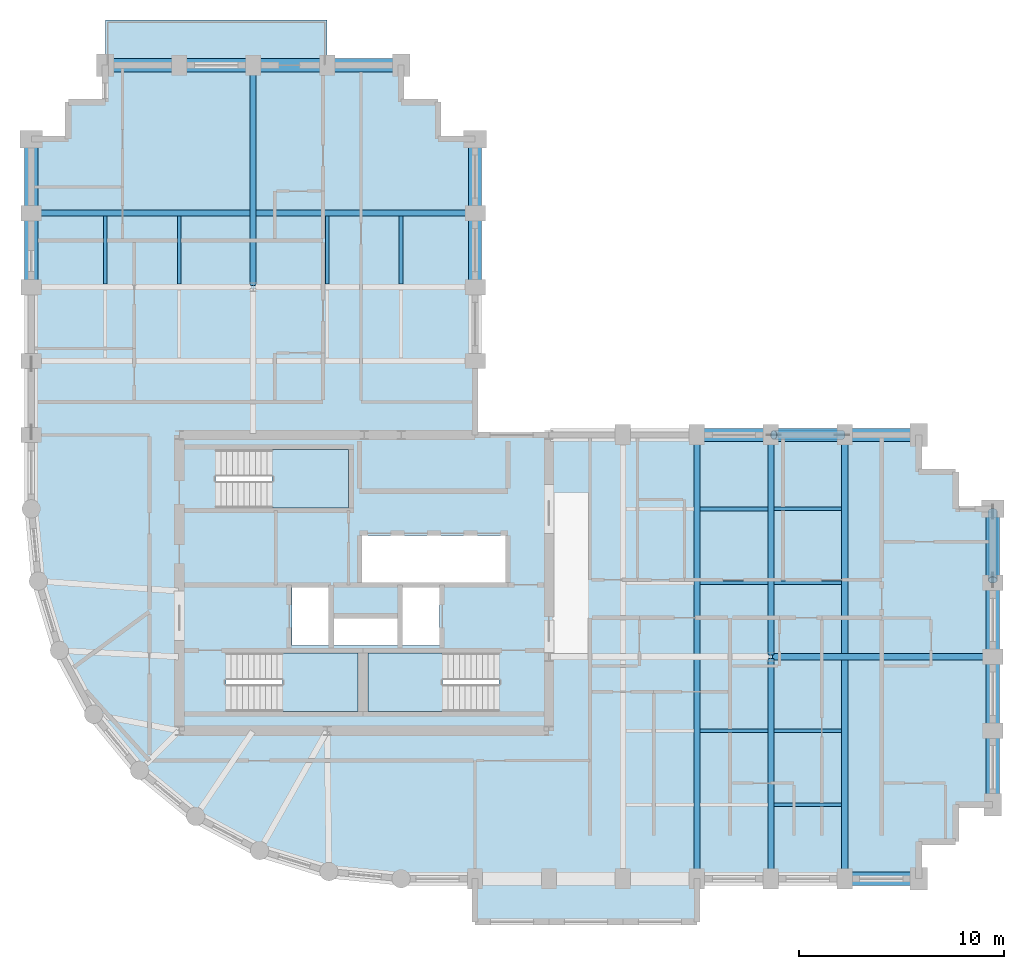
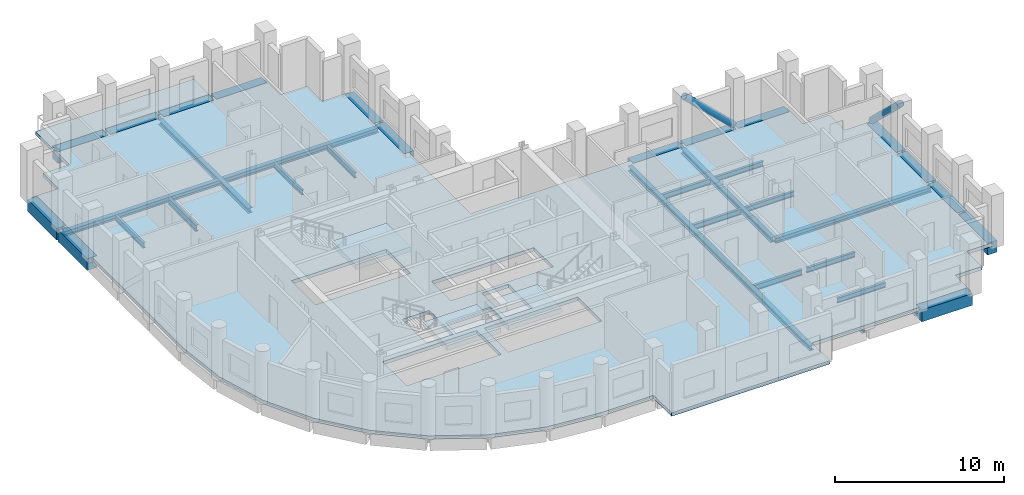
# One storey, part 2 of 9: 34 beams, 5 slabs, 2 members, 3 elements without a shape of their own.
"""IFC4 building model written with IfcOpenShell, lengths in metres."""

from ifc_helpers import new_model, si_unit, direction, frame, origin, origin_2d, place, context, subcontext, project, spatial, polyline, rectangle, hollow_circle, i_section, outline, extrude, material, layer, layer_set, material_profile, profile_set, type_object, element, aggregate, save


model = new_model("IFC4")

# Units and contexts
model_context = context("Model", 3, precision=1e-05, world=origin(), true_north=direction((0.0, 1.0)))
body_context = subcontext(model_context, "Body", "Model", "MODEL_VIEW")
ifc_project = project(units=[si_unit("LENGTHUNIT", "METRE"), si_unit("AREAUNIT", "SQUARE_METRE"), si_unit("VOLUMEUNIT", "CUBIC_METRE"), si_unit("PLANEANGLEUNIT", "RADIAN"), si_unit("MASSUNIT", "GRAM", prefix="KILO")], contexts=[model_context])

# Site, building, storey
site_placement = place(None, origin())
site = spatial("IfcSite", under=ifc_project, at=site_placement, CompositionType="ELEMENT")
building_placement = place(site_placement, origin())
building = spatial("IfcBuilding", under=site, at=building_placement, Name="Solnavia Interchange Tower", CompositionType="ELEMENT")
storey_placement = place(building_placement, frame((0.0, 0.0, 131.39990234375)))
storey = spatial("IfcBuildingStorey", under=building, at=storey_placement, Name="L32", CompositionType="ELEMENT", Elevation=131.39990234375)

# Beams
ifc_material_1 = material(Name="Steel S460", Category="steel")
ifc_material_profile_1 = material_profile(ifc_material_1, i_section(OverallWidth=0.300048828125, OverallDepth=0.360107421875, WebThickness=0.012451171875, FlangeThickness=0.0224609375, FilletRadius=0.027099609375, at=origin_2d()), Name="HEB 360")
ifc_profile_set_1 = profile_set([ifc_material_profile_1], Name="Steel S460")
beam_type_1 = type_object("IfcBeamType", Name="Beam-Girder-HEB360", PredefinedType="BEAM", material=ifc_profile_set_1)
beam_1_placement = place(storey_placement, frame((43.280029296875, 14.39990234375, -0.429931640625), z_axis=(1.0, 0.0, 0.0), x_axis=(0.0, 1.0, 0.0)))
element("IfcBeam", 1, at=beam_1_placement, inside=storey, type_object=beam_type_1, Name="GRD-L32-ES02 East wing spine girder", PredefinedType="BEAM", context=body_context, shape_type="SweptSolid", body=[
    extrude(i_section(OverallWidth=0.300048828125, OverallDepth=0.360107421875, WebThickness=0.012451171875, FlangeThickness=0.0224609375, FilletRadius=0.027099609375, at=origin_2d()), origin(), (0.0, 0.0, 1.0), 10.639892578125),
])
for number, where, z_axis, x_axis, name in (
    (2, (39.60009765625, 3.679931640625, -0.429931640625), (0.0, 1.0, 0.0), (-1.0, 0.0, 0.0), "GRD-L32-EW04 East wing primary floor girder"),
    (3, (46.800048828125, 3.679931640625, -0.429931640625), (0.0, 1.0, 0.0), (-1.0, 0.0, 0.0), "GRD-L32-EW07 East wing primary floor girder"),
):
    element("IfcBeam", number, at=place(storey_placement, frame(where, z_axis=z_axis, x_axis=x_axis)), inside=storey, type_object=beam_type_1, Name=name, PredefinedType="BEAM", context=body_context, shape_type="SweptSolid", body=[
        extrude(i_section(OverallWidth=0.300048828125, OverallDepth=0.360107421875, WebThickness=0.012451171875, FlangeThickness=0.0224609375, FilletRadius=0.027099609375, at=origin_2d()), origin(), (0.0, 0.0, 1.0), 21.440185546875),
    ])
beam_2_placement = place(storey_placement, frame((18.0, 32.47998046875, -0.429931640625), z_axis=(0.0, 1.0, 0.0), x_axis=(-1.0, 0.0, 0.0)))
element("IfcBeam", 4, at=beam_2_placement, inside=storey, type_object=beam_type_1, Name="GRD-L32-NS09 North wing spine girder", PredefinedType="BEAM", context=body_context, shape_type="SweptSolid", body=[
    extrude(i_section(OverallWidth=0.300048828125, OverallDepth=0.360107421875, WebThickness=0.012451171875, FlangeThickness=0.0224609375, FilletRadius=0.027099609375, at=origin_2d()), origin(), (0.0, 0.0, 1.0), 10.64013671875),
])
beam_3_placement = place(storey_placement, frame((7.280029296875, 36.0, -0.429931640625), z_axis=(1.0, 0.0, 0.0), x_axis=(0.0, 1.0, 0.0)))
element("IfcBeam", 5, at=beam_3_placement, inside=storey, type_object=beam_type_1, Name="GRD-L32-NW13 North wing primary floor girder", PredefinedType="BEAM", context=body_context, shape_type="SweptSolid", body=[
    extrude(i_section(OverallWidth=0.300048828125, OverallDepth=0.360107421875, WebThickness=0.012451171875, FlangeThickness=0.0224609375, FilletRadius=0.027099609375, at=origin_2d()), origin(), (0.0, 0.0, 1.0), 21.43994140625),
])
ifc_material_2 = material(Name="Steel S355", Category="steel")
ifc_material_profile_2 = material_profile(ifc_material_2, i_section(OverallWidth=0.169921875, OverallDepth=0.360107421875, WebThickness=0.008056640625, FlangeThickness=0.0126953125, FilletRadius=0.01806640625, at=origin_2d()), Name="IPE 360")
ifc_profile_set_2 = profile_set([ifc_material_profile_2], Name="Steel S355")
beam_type_2 = type_object("IfcBeamType", Name="Beam-Joist-IPE360", PredefinedType="JOIST", material=ifc_profile_set_2)
for number, where, z_axis, x_axis, name in (
    (6, (43.35009765625, 7.199951171875, -0.429931640625), (1.0, 0.0, 0.0), (0.0, 1.0, 0.0), "JST-L32-E03 East wing secondary joist"),
    (7, (43.35009765625, 10.800048828125, -0.429931640625), (1.0, 0.0, 0.0), (0.0, 1.0, 0.0), "JST-L32-E06 East wing secondary joist"),
    (8, (43.35009765625, 18.0, -0.429931640625), (1.0, 0.0, 0.0), (0.0, 1.0, 0.0), "JST-L32-E09 East wing secondary joist"),
    (9, (43.35009765625, 21.60009765625, -0.429931640625), (1.0, 0.0, 0.0), (0.0, 1.0, 0.0), "JST-L32-E12 East wing secondary joist"),
):
    element("IfcBeam", number, at=place(storey_placement, frame(where, z_axis=z_axis, x_axis=x_axis)), inside=storey, type_object=beam_type_2, Name=name, PredefinedType="JOIST", context=body_context, shape_type="SweptSolid", body=[
        extrude(i_section(OverallWidth=0.169921875, OverallDepth=0.360107421875, WebThickness=0.008056640625, FlangeThickness=0.0126953125, FilletRadius=0.01806640625, at=origin_2d()), origin(), (0.0, 0.0, 1.0), 3.2998046875),
    ])
beam_4_placement = place(storey_placement, frame((21.60009765625, 32.550048828125, -0.429931640625), z_axis=(0.0, 1.0, 0.0), x_axis=(-1.0, 0.0, 0.0)))
element("IfcBeam", 10, at=beam_4_placement, inside=storey, type_object=beam_type_2, Name="JST-L32-N18 North wing secondary joist", PredefinedType="JOIST", context=body_context, shape_type="SweptSolid", body=[
    extrude(i_section(OverallWidth=0.169921875, OverallDepth=0.360107421875, WebThickness=0.008056640625, FlangeThickness=0.0126953125, FilletRadius=0.01806640625, at=origin_2d()), origin(), (0.0, 0.0, 1.0), 3.300048828125),
])
ifc_material_profile_3 = material_profile(ifc_material_2, i_section(OverallWidth=0.179931640625, OverallDepth=0.39990234375, WebThickness=0.008544921875, FlangeThickness=0.013427734375, FilletRadius=0.02099609375, at=origin_2d()), Name="IPE 400")
ifc_profile_set_3 = profile_set([ifc_material_profile_3], Name="Steel S355")
beam_type_3 = type_object("IfcBeamType", Name="Beam-Joist-IPE400", PredefinedType="JOIST", material=ifc_profile_set_3)
for number, where, z_axis, x_axis, name in (
    (11, (39.75, 10.800048828125, -0.449951171875), (1.0, 0.0, 0.0), (0.0, 1.0, 0.0), "JST-L32-E05 East wing secondary joist"),
    (12, (39.75, 18.0, -0.449951171875), (1.0, 0.0, 0.0), (0.0, 1.0, 0.0), "JST-L32-E08 East wing secondary joist"),
    (13, (39.75, 21.60009765625, -0.449951171875), (1.0, 0.0, 0.0), (0.0, 1.0, 0.0), "JST-L32-E11 East wing secondary joist"),
    (14, (10.800048828125, 32.550048828125, -0.449951171875), (0.0, 1.0, 0.0), (-1.0, 0.0, 0.0), "JST-L32-N14 North wing secondary joist"),
    (15, (25.199951171875, 32.550048828125, -0.449951171875), (0.0, 1.0, 0.0), (-1.0, 0.0, 0.0), "JST-L32-N20 North wing secondary joist"),
):
    element("IfcBeam", number, at=place(storey_placement, frame(where, z_axis=z_axis, x_axis=x_axis)), inside=storey, type_object=beam_type_3, Name=name, PredefinedType="JOIST", context=body_context, shape_type="SweptSolid", body=[
        extrude(i_section(OverallWidth=0.179931640625, OverallDepth=0.39990234375, WebThickness=0.008544921875, FlangeThickness=0.013427734375, FilletRadius=0.02099609375, at=origin_2d()), origin(), (0.0, 0.0, 1.0), 3.300048828125),
    ])
ifc_material_profile_4 = material_profile(ifc_material_2, i_section(OverallWidth=0.18994140625, OverallDepth=0.449951171875, WebThickness=0.009521484375, FlangeThickness=0.0146484375, FilletRadius=0.02099609375, at=origin_2d()), Name="IPE 450")
ifc_profile_set_4 = profile_set([ifc_material_profile_4], Name="Steel S355")
beam_type_4 = type_object("IfcBeamType", Name="Beam-Joist-IPE450", PredefinedType="JOIST", material=ifc_profile_set_4)
beam_5_placement = place(storey_placement, frame((14.39990234375, 32.550048828125, -0.474853515625), z_axis=(0.0, 1.0, 0.0), x_axis=(-1.0, 0.0, 0.0)))
element("IfcBeam", 16, at=beam_5_placement, inside=storey, type_object=beam_type_4, Name="JST-L32-N16 North wing secondary joist", PredefinedType="JOIST", context=body_context, shape_type="SweptSolid", body=[
    extrude(i_section(OverallWidth=0.18994140625, OverallDepth=0.449951171875, WebThickness=0.009521484375, FlangeThickness=0.0146484375, FilletRadius=0.02099609375, at=origin_2d()), origin(), (0.0, 0.0, 1.0), 3.300048828125),
])
ifc_material_profile_5 = material_profile(ifc_material_2, i_section(OverallWidth=0.300048828125, OverallDepth=0.35009765625, WebThickness=0.010009765625, FlangeThickness=0.017578125, FilletRadius=0.027099609375, at=origin_2d()), Name="HEA 360")
ifc_profile_set_5 = profile_set([ifc_material_profile_5], Name="Steel S355")
beam_type_5 = type_object("IfcBeamType", Name="Beam-Primary-HEA360", PredefinedType="BEAM", material=ifc_profile_set_5)
for number, where, z_axis, x_axis, name in (
    (17, (43.199951171875, 3.679931640625, -0.4248046875), (0.0, 1.0, 0.0), (-1.0, 0.0, 0.0), "GRD-L32-EW05 East wing primary floor girder"),
    (18, (43.199951171875, 14.47998046875, -0.4248046875), (0.0, 1.0, 0.0), (-1.0, 0.0, 0.0), "GRD-L32-EW06 East wing primary floor girder"),
):
    element("IfcBeam", number, at=place(storey_placement, frame(where, z_axis=z_axis, x_axis=x_axis)), inside=storey, type_object=beam_type_5, Name=name, PredefinedType="BEAM", context=body_context, shape_type="SweptSolid", body=[
        extrude(i_section(OverallWidth=0.300048828125, OverallDepth=0.35009765625, WebThickness=0.010009765625, FlangeThickness=0.017578125, FilletRadius=0.027099609375, at=origin_2d()), origin(), (0.0, 0.0, 1.0), 10.64013671875),
    ])
ifc_material_3 = material(Name="Concrete C50/60", Category="concrete")
ifc_material_profile_6 = material_profile(ifc_material_3, rectangle(XDim=0.64990234375, YDim=0.85009765625, at=origin_2d()), Name="RC 650x850")
ifc_profile_set_6 = profile_set([ifc_material_profile_6], Name="Concrete C50/60")
beam_type_6 = type_object("IfcBeamType", Name="Beam-Spandrel-RC650x850", PredefinedType="SPANDREL", material=ifc_profile_set_6)
beam_6_placement = place(storey_placement, frame((46.8798828125, 3.60009765625, -0.4248046875), z_axis=(1.0, 0.0, 0.0), x_axis=(0.0, 1.0, 0.0)))
element("IfcBeam", 19, at=beam_6_placement, inside=storey, type_object=beam_type_6, Name="SPB-L32-15 Framed-tube perimeter spandrel beam", PredefinedType="SPANDREL", context=body_context, shape_type="SweptSolid", body=[
    extrude(rectangle(XDim=0.64990234375, YDim=0.85009765625, at=origin_2d()), origin(), (0.0, 0.0, 1.0), 3.440185546875),
])
beam_7_placement = place(storey_placement, frame((54.0, 7.280029296875, -0.4248046875), z_axis=(0.0, 1.0, 0.0), x_axis=(-1.0, 0.0, 0.0)))
element("IfcBeam", 20, at=beam_7_placement, inside=storey, type_object=beam_type_6, Name="SPB-L32-16 Framed-tube perimeter spandrel beam", PredefinedType="SPANDREL", context=body_context, shape_type="SweptSolid", body=[
    extrude(rectangle(XDim=0.64990234375, YDim=0.85009765625, at=origin_2d()), origin(), (0.0, 0.0, 1.0), 3.43994140625),
])
beam_8_placement = place(storey_placement, frame((54.0, 10.8798828125, -0.4248046875), z_axis=(0.0, 1.0, 0.0), x_axis=(-1.0, 0.0, 0.0)))
element("IfcBeam", 21, at=beam_8_placement, inside=storey, type_object=beam_type_6, Name="SPB-L32-17 Framed-tube perimeter spandrel beam", PredefinedType="SPANDREL", context=body_context, shape_type="SweptSolid", body=[
    extrude(rectangle(XDim=0.64990234375, YDim=0.85009765625, at=origin_2d()), origin(), (0.0, 0.0, 1.0), 3.440185546875),
])
for number, where, z_axis, x_axis, name in (
    (22, (54.0, 14.47998046875, -0.4248046875), (0.0, 1.0, 0.0), (-1.0, 0.0, 0.0), "SPB-L32-18 Framed-tube perimeter spandrel beam"),
    (23, (54.0, 18.080078125, -0.4248046875), (0.0, 1.0, 0.0), (-1.0, 0.0, 0.0), "SPB-L32-19 Framed-tube perimeter spandrel beam"),
):
    element("IfcBeam", number, at=place(storey_placement, frame(where, z_axis=z_axis, x_axis=x_axis)), inside=storey, type_object=beam_type_6, Name=name, PredefinedType="SPANDREL", context=body_context, shape_type="SweptSolid", body=[
        extrude(rectangle(XDim=0.64990234375, YDim=0.85009765625, at=origin_2d()), origin(), (0.0, 0.0, 1.0), 3.43994140625),
    ])
beam_9_placement = place(storey_placement, frame((50.320068359375, 25.199951171875, -0.4248046875), z_axis=(-1.0, 0.0, 0.0), x_axis=(0.0, -1.0, 0.0)))
element("IfcBeam", 24, at=beam_9_placement, inside=storey, type_object=beam_type_6, Name="SPB-L32-20 Framed-tube perimeter spandrel beam", PredefinedType="SPANDREL", context=body_context, shape_type="SweptSolid", body=[
    extrude(rectangle(XDim=0.64990234375, YDim=0.85009765625, at=origin_2d()), origin(), (0.0, 0.0, 1.0), 3.440185546875),
])
beam_10_placement = place(storey_placement, frame((46.719970703125, 25.199951171875, -0.4248046875), z_axis=(-1.0, 0.0, 0.0), x_axis=(0.0, -1.0, 0.0)))
element("IfcBeam", 25, at=beam_10_placement, inside=storey, type_object=beam_type_6, Name="SPB-L32-21 Framed-tube perimeter spandrel beam", PredefinedType="SPANDREL", context=body_context, shape_type="SweptSolid", body=[
    extrude(rectangle(XDim=0.64990234375, YDim=0.85009765625, at=origin_2d()), origin(), (0.0, 0.0, 1.0), 3.43994140625),
])
beam_11_placement = place(storey_placement, frame((43.1201171875, 25.199951171875, -0.4248046875), z_axis=(-1.0, 0.0, 0.0), x_axis=(0.0, -1.0, 0.0)))
element("IfcBeam", 26, at=beam_11_placement, inside=storey, type_object=beam_type_6, Name="SPB-L32-22 Framed-tube perimeter spandrel beam", PredefinedType="SPANDREL", context=body_context, shape_type="SweptSolid", body=[
    extrude(rectangle(XDim=0.64990234375, YDim=0.85009765625, at=origin_2d()), origin(), (0.0, 0.0, 1.0), 3.440185546875),
])
for number, where, z_axis, x_axis, name in (
    (27, (28.800048828125, 32.47998046875, -0.4248046875), (0.0, 1.0, 0.0), (-1.0, 0.0, 0.0), "SPB-L32-26 Framed-tube perimeter spandrel beam"),
    (28, (28.800048828125, 36.080078125, -0.4248046875), (0.0, 1.0, 0.0), (-1.0, 0.0, 0.0), "SPB-L32-27 Framed-tube perimeter spandrel beam"),
):
    element("IfcBeam", number, at=place(storey_placement, frame(where, z_axis=z_axis, x_axis=x_axis)), inside=storey, type_object=beam_type_6, Name=name, PredefinedType="SPANDREL", context=body_context, shape_type="SweptSolid", body=[
        extrude(rectangle(XDim=0.64990234375, YDim=0.85009765625, at=origin_2d()), origin(), (0.0, 0.0, 1.0), 3.43994140625),
    ])
beam_12_placement = place(storey_placement, frame((25.1201171875, 43.199951171875, -0.4248046875), z_axis=(-1.0, 0.0, 0.0), x_axis=(0.0, -1.0, 0.0)))
element("IfcBeam", 29, at=beam_12_placement, inside=storey, type_object=beam_type_6, Name="SPB-L32-28 Framed-tube perimeter spandrel beam", PredefinedType="SPANDREL", context=body_context, shape_type="SweptSolid", body=[
    extrude(rectangle(XDim=0.64990234375, YDim=0.85009765625, at=origin_2d()), origin(), (0.0, 0.0, 1.0), 3.440185546875),
])
for number, where, z_axis, x_axis, name in (
    (30, (21.52001953125, 43.199951171875, -0.4248046875), (-1.0, 0.0, 0.0), (0.0, -1.0, 0.0), "SPB-L32-29 Framed-tube perimeter spandrel beam"),
    (31, (17.919921875, 43.199951171875, -0.4248046875), (-1.0, 0.0, 0.0), (0.0, -1.0, 0.0), "SPB-L32-30 Framed-tube perimeter spandrel beam"),
):
    element("IfcBeam", number, at=place(storey_placement, frame(where, z_axis=z_axis, x_axis=x_axis)), inside=storey, type_object=beam_type_6, Name=name, PredefinedType="SPANDREL", context=body_context, shape_type="SweptSolid", body=[
        extrude(rectangle(XDim=0.64990234375, YDim=0.85009765625, at=origin_2d()), origin(), (0.0, 0.0, 1.0), 3.43994140625),
    ])
beam_13_placement = place(storey_placement, frame((14.320068359375, 43.199951171875, -0.4248046875), z_axis=(-1.0, 0.0, 0.0), x_axis=(0.0, -1.0, 0.0)))
element("IfcBeam", 32, at=beam_13_placement, inside=storey, type_object=beam_type_6, Name="SPB-L32-31 Framed-tube perimeter spandrel beam", PredefinedType="SPANDREL", context=body_context, shape_type="SweptSolid", body=[
    extrude(rectangle(XDim=0.64990234375, YDim=0.85009765625, at=origin_2d()), origin(), (0.0, 0.0, 1.0), 3.440185546875),
])
for number, where, z_axis, x_axis, name in (
    (33, (7.199951171875, 39.52001953125, -0.4248046875), (0.0, -1.0, 0.0), (1.0, 0.0, 0.0), "SPB-L32-32 Framed-tube perimeter spandrel beam"),
    (34, (7.199951171875, 35.919921875, -0.4248046875), (0.0, -1.0, 0.0), (1.0, 0.0, 0.0), "SPB-L32-33 Framed-tube perimeter spandrel beam"),
):
    element("IfcBeam", number, at=place(storey_placement, frame(where, z_axis=z_axis, x_axis=x_axis)), inside=storey, type_object=beam_type_6, Name=name, PredefinedType="SPANDREL", context=body_context, shape_type="SweptSolid", body=[
        extrude(rectangle(XDim=0.64990234375, YDim=0.85009765625, at=origin_2d()), origin(), (0.0, 0.0, 1.0), 3.43994140625),
    ])

# Members
ifc_material_profile_7 = material_profile(ifc_material_1, hollow_circle(Radius=0.228515625, WallThickness=0.02001953125, at=origin_2d()), Name="CHS 457x20")
ifc_profile_set_7 = profile_set([ifc_material_profile_7], Name="Steel S460")
member_type = type_object("IfcMemberType", Name="Brace-Perim-CHS457", PredefinedType="BRACE", material=ifc_profile_set_7)
member_1_placement = place(storey_placement, frame((54.0, 21.4599609375, 0.18017578125), z_axis=(0.0, -0.721096918576, 0.692834203847), x_axis=(1.0, 0.0, 0.0)))
element("IfcMember", 35, at=member_1_placement, inside=storey, type_object=member_type, Name="BRC-L32-02 Perimeter tube diagonal brace", PredefinedType="BRACE", context=body_context, shape_type="SweptSolid", body=[
    extrude(hollow_circle(Radius=0.228515625, WallThickness=0.02001953125, at=origin_2d()), origin(), (0.0, 0.0, 1.0), 4.604248046875),
])
member_2_placement = place(storey_placement, frame((46.659912109375, 25.199951171875, 0.18017578125), z_axis=(-0.721071463745, 0.0, 0.69286069608), x_axis=(0.0, -1.0, 0.0)))
element("IfcMember", 36, at=member_2_placement, inside=storey, type_object=member_type, Name="BRC-L32-03 Perimeter tube diagonal brace", PredefinedType="BRACE", context=body_context, shape_type="SweptSolid", body=[
    extrude(hollow_circle(Radius=0.228515625, WallThickness=0.02001953125, at=origin_2d()), origin(), (0.0, 0.0, 1.0), 4.60400390625),
])

# Stair, slab
ifc_material_4 = material(Name="Concrete C40/50", Category="concrete")
stair_type = type_object("IfcStairType", Name="Stair-Dogleg-RC", PredefinedType="HALF_TURN_STAIR", material=ifc_material_4)
stair_1_placement = place(storey_placement, origin())
stair_1 = element("IfcStair", 37, at=stair_1_placement, inside=storey, type_object=stair_type, Name="L32 Core exit stair 1", PredefinedType="HALF_TURN_STAIR")
ifc_layer_1 = layer(ifc_material_4, 0.35009765625)
ifc_layer_set_1 = layer_set([ifc_layer_1], Name="Concrete C40/50")
slab_type_1 = type_object("IfcSlabType", Name="Slab-StairLanding-350", PredefinedType="LANDING", material=ifc_layer_set_1)
slab_1_placement = place(storey_placement, frame((0.0, 0.0, 1.550048828125)))
slab_1 = element("IfcSlab", 38, at=slab_1_placement, type_object=slab_type_1, Name="ST-1 landing 1", PredefinedType="LANDING", context=body_context, shape_type="SweptSolid", body=[
    extrude(outline(polyline([(19.427978515625, 11.75), (23.10009765625, 11.75), (23.10009765625, 14.590087890625), (19.427978515625, 14.590087890625), (19.427978515625, 11.75)])), origin(), (0.0, 0.0, 1.0), 0.35009765625),
])
aggregate(stair_1, [slab_1])

stair_2_placement = place(storey_placement, origin())
stair_2 = element("IfcStair", 39, at=stair_2_placement, inside=storey, type_object=stair_type, Name="L32 Core exit stair 2", PredefinedType="HALF_TURN_STAIR")
slab_2_placement = place(storey_placement, frame((0.0, 0.0, 1.550048828125)))
slab_2 = element("IfcSlab", 40, at=slab_2_placement, type_object=slab_type_1, Name="ST-2 landing 1", PredefinedType="LANDING", context=body_context, shape_type="SweptSolid", body=[
    extrude(outline(polyline([(23.60009765625, 11.75), (27.221923828125, 11.75), (27.221923828125, 14.590087890625), (23.60009765625, 14.590087890625), (23.60009765625, 11.75)])), origin(), (0.0, 0.0, 1.0), 0.35009765625),
])
aggregate(stair_2, [slab_2])

stair_3_placement = place(storey_placement, origin())
stair_3 = element("IfcStair", 41, at=stair_3_placement, inside=storey, type_object=stair_type, Name="L32 Core exit stair 3", PredefinedType="HALF_TURN_STAIR")
slab_3_placement = place(storey_placement, frame((0.0, 0.0, 1.550048828125)))
slab_3 = element("IfcSlab", 42, at=slab_3_placement, type_object=slab_type_1, Name="ST-3 landing 1", PredefinedType="LANDING", context=body_context, shape_type="SweptSolid", body=[
    extrude(outline(polyline([(18.927978515625, 21.64990234375), (22.64990234375, 21.64990234375), (22.64990234375, 24.489990234375), (18.927978515625, 24.489990234375), (18.927978515625, 21.64990234375)])), origin(), (0.0, 0.0, 1.0), 0.35009765625),
])
aggregate(stair_3, [slab_3])

# Slabs
ifc_layer_2 = layer(ifc_material_4, 0.219970703125)
ifc_layer_set_2 = layer_set([ifc_layer_2], Name="Concrete C40/50")
slab_type_2 = type_object("IfcSlabType", Name="Slab-Terrace-220", PredefinedType="FLOOR", material=ifc_layer_set_2)
slab_4_placement = place(storey_placement, frame((0.0, 0.0, -0.260009765625)))
element("IfcSlab", 43, at=slab_4_placement, inside=storey, type_object=slab_type_2, Name="TER-L32-01 Outdoor spiral terrace slab", PredefinedType="FLOOR", context=body_context, shape_type="SweptSolid", body=[
    extrude(outline(polyline([(10.800048828125, 43.199951171875), (21.60009765625, 43.199951171875), (21.60009765625, 45.39990234375), (10.800048828125, 45.39990234375), (10.800048828125, 43.199951171875)])), origin(), (0.0, 0.0, 1.0), 0.22021484375),
])
ifc_layer_3 = layer(ifc_material_4, 0.25)
ifc_layer_set_3 = layer_set([ifc_layer_3], Name="Concrete C40/50")
slab_type_3 = type_object("IfcSlabType", Name="Slab-Tower-250", PredefinedType="FLOOR", material=ifc_layer_set_3)
slab_5_placement = place(storey_placement, frame((0.0, 0.0, -0.25)))
element("IfcSlab", 44, at=slab_5_placement, inside=storey, type_object=slab_type_3, Name="SLB-L32-01 Structural floor slab", PredefinedType="FLOOR", context=body_context, shape_type="SweptSolid", body=[
    extrude(outline(polyline([(25.199951171875, 3.60009765625), (28.800048828125, 3.60009765625), (28.800048828125, 1.5), (39.60009765625, 1.5), (39.60009765625, 3.60009765625), (50.39990234375, 3.60009765625), (50.39990234375, 5.39990234375), (52.199951171875, 5.39990234375), (52.199951171875, 7.199951171875), (54.0, 7.199951171875), (54.0, 21.60009765625), (52.199951171875, 21.60009765625), (52.199951171875, 23.39990234375), (50.39990234375, 23.39990234375), (50.39990234375, 25.199951171875), (28.800048828125, 25.199951171875), (28.800048828125, 39.60009765625), (27.0, 39.60009765625), (27.0, 41.39990234375), (25.199951171875, 41.39990234375), (25.199951171875, 43.199951171875), (10.800048828125, 43.199951171875), (10.800048828125, 41.39990234375), (9.0, 41.39990234375), (9.0, 39.60009765625), (7.199951171875, 39.60009765625), (7.199951171875, 21.60009765625), (7.5458984375, 18.087890625), (8.570068359375, 14.7119140625), (10.23388671875, 11.60009765625), (12.471923828125, 8.8720703125), (15.199951171875, 6.634033203125), (18.31201171875, 4.969970703125), (21.68798828125, 3.946044921875), (25.199951171875, 3.60009765625)]), holes=[polyline([(16.675048828125, 11.75), (23.10009765625, 11.75), (23.10009765625, 14.590087890625), (16.675048828125, 14.590087890625), (16.675048828125, 11.75)]), polyline([(23.60009765625, 11.75), (29.97509765625, 11.75), (29.97509765625, 14.590087890625), (23.60009765625, 14.590087890625), (23.60009765625, 11.75)]), polyline([(16.175048828125, 21.64990234375), (22.64990234375, 21.64990234375), (22.64990234375, 24.489990234375), (16.175048828125, 24.489990234375), (16.175048828125, 21.64990234375)]), polyline([(19.8798828125, 14.9599609375), (21.679931640625, 14.9599609375), (21.679931640625, 17.780029296875), (19.8798828125, 17.780029296875), (19.8798828125, 14.9599609375)]), polyline([(25.280029296875, 14.9599609375), (27.080078125, 14.9599609375), (27.080078125, 17.780029296875), (25.280029296875, 17.780029296875), (25.280029296875, 14.9599609375)]), polyline([(21.919921875, 14.9599609375), (25.02001953125, 14.9599609375), (25.02001953125, 16.280029296875), (21.919921875, 16.280029296875), (21.919921875, 14.9599609375)]), polyline([(23.300048828125, 18.02001953125), (30.280029296875, 18.02001953125), (30.280029296875, 20.300048828125), (23.300048828125, 20.300048828125), (23.300048828125, 18.02001953125)])]), origin(), (0.0, 0.0, 1.0), 0.25),
])

save(model, "model.ifc")
